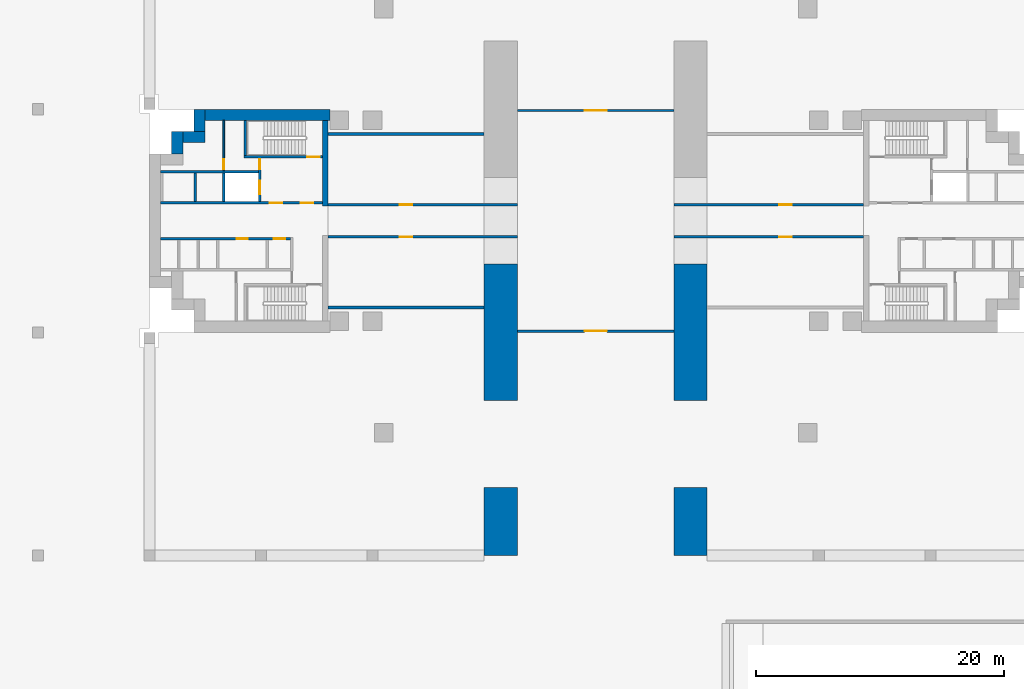
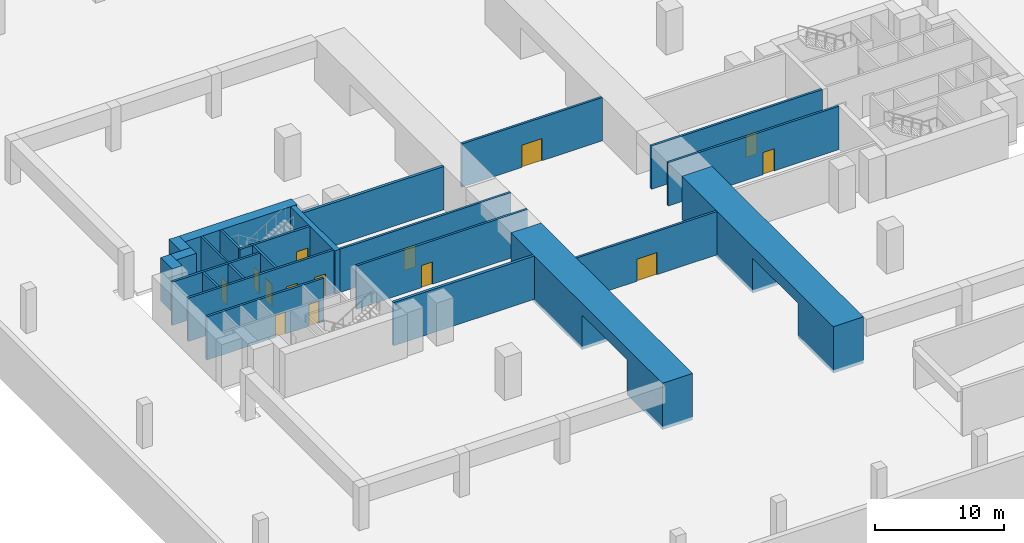
# One storey, part 5 of 9: 24 walls, 14 doors, 14 openings.
"""IFC4 building model written with IfcOpenShell, lengths in metres."""

from ifc_helpers import new_model, si_unit, direction, frame, frame_2d, origin, place, context, subcontext, project, spatial, polyline, rectangle, outline, extrude, material, layer, layer_set, material_profile, profile_set, type_object, element, fill, save


model = new_model("IFC4")

# Units and contexts
model_context = context("Model", 3, precision=1e-05, world=origin(), true_north=direction((0.0, 1.0)))
body_context = subcontext(model_context, "Body", "Model", "MODEL_VIEW")
ifc_project = project(units=[si_unit("LENGTHUNIT", "METRE"), si_unit("AREAUNIT", "SQUARE_METRE"), si_unit("VOLUMEUNIT", "CUBIC_METRE"), si_unit("PLANEANGLEUNIT", "RADIAN"), si_unit("MASSUNIT", "GRAM", prefix="KILO")], contexts=[model_context])

# Site, building, storey
site_placement = place(None, origin())
site = spatial("IfcSite", under=ifc_project, at=site_placement, CompositionType="ELEMENT")
building_placement = place(site_placement, origin())
building = spatial("IfcBuilding", under=site, at=building_placement, Name="Perihelion Cross Residences", CompositionType="ELEMENT")
storey_placement = place(building_placement, frame((0.0, 0.0, -4.5)))
storey = spatial("IfcBuildingStorey", under=building, at=storey_placement, Name="B1", CompositionType="ELEMENT", Elevation=-4.5)

# Walls
ifc_material_1 = material(Name="Concrete C40/50", Category="concrete")
ifc_layer_1 = layer(ifc_material_1, 0.25)
ifc_layer_set_1 = layer_set([ifc_layer_1], Name="Basement enclosure wall 250")
wall_type_1 = type_object("IfcWallType", Name="Basement enclosure wall 250", PredefinedType="SOLIDWALL", material=ifc_layer_set_1)
for number, where, z_axis, x_axis, name in (
    (1, (-9.0, 7.0, 0.0), (0.0, 0.0, 1.0), (-1.0, 0.0, 0.0), "Basement enclosure wall B1 w.encl.n"),
    (2, (-9.0, -7.0, 0.0), (0.0, 0.0, 1.0), (-1.0, 0.0, 0.0), "Basement enclosure wall B1 w.encl.s"),
):
    element("IfcWall", number, at=place(storey_placement, frame(where, z_axis=z_axis, x_axis=x_axis)), inside=storey, type_object=wall_type_1, Name=name, PredefinedType="SOLIDWALL", context=body_context, shape_type="SweptSolid", body=[
        extrude(rectangle(XDim=12.60009765625, YDim=0.25, at=frame_2d((6.300048828125, 0.0))), origin(), (0.0, 0.0, 1.0), 4.10009765625),
    ])
ifc_material_2 = material(Name="Concrete C60/75", Category="concrete")
ifc_layer_2 = layer(ifc_material_2, 0.449951171875)
ifc_layer_set_2 = layer_set([ifc_layer_2], Name="Core wall, inner 450")
wall_type_2 = type_object("IfcWallType", Name="Core wall, inner 450", PredefinedType="SHEAR", material=ifc_layer_set_2)
wall_1_placement = place(storey_placement, frame((-21.824951171875, 1.199951171875, 0.0), z_axis=(0.0, 0.0, 1.0), x_axis=(0.0, 1.0, 0.0)))
element("IfcWall", 3, at=wall_1_placement, inside=storey, type_object=wall_type_2, Name="West core core wall, inner", PredefinedType="SHEAR", context=body_context, shape_type="SweptSolid", body=[
    extrude(rectangle(XDim=6.900146484375, YDim=0.449951171875, at=frame_2d((3.4501953125, 0.0))), origin(), (0.0, 0.0, 1.0), 4.10009765625),
])
ifc_material_3 = material(Name="Concrete C60/75", Category="concrete")
ifc_layer_3 = layer(ifc_material_3, 0.89990234375)
ifc_layer_set_3 = layer_set([ifc_layer_3], Name="Core wall, outer 900")
wall_type_3 = type_object("IfcWallType", Name="Core wall, outer 900", PredefinedType="SHEAR", material=ifc_layer_set_3)
for number, where, z_axis, x_axis, name in (
    (4, (-33.75, 5.39990234375, 0.0), (0.0, 0.0, 1.0), (0.0, 1.0, 0.0), "West core core wall, outer"),
    (5, (-33.300048828125, 6.75, 0.0), (0.0, 0.0, 1.0), (1.0, 0.0, 0.0), "West core core wall, outer"),
    (6, (-31.949951171875, 7.199951171875, 0.0), (0.0, 0.0, 1.0), (0.0, 1.0, 0.0), "West core core wall, outer"),
):
    element("IfcWall", number, at=place(storey_placement, frame(where, z_axis=z_axis, x_axis=x_axis)), inside=storey, type_object=wall_type_3, Name=name, PredefinedType="SHEAR", context=body_context, shape_type="SweptSolid", body=[
        extrude(rectangle(XDim=1.800048828125, YDim=0.89990234375, at=frame_2d((0.89990234375, 0.0))), origin(), (0.0, 0.0, 1.0), 4.10009765625),
    ])
wall_2_placement = place(storey_placement, frame((-31.5, 8.550048828125, 0.0), z_axis=(0.0, 0.0, 1.0), x_axis=(1.0, 0.0, 0.0)))
element("IfcWall", 7, at=wall_2_placement, inside=storey, type_object=wall_type_3, Name="West core core wall, outer", PredefinedType="SHEAR", context=body_context, shape_type="SweptSolid", body=[
    extrude(rectangle(XDim=10.050048828125, YDim=0.89990234375, at=frame_2d((5.02490234375, 0.0))), origin(), (0.0, 0.0, 1.0), 4.10009765625),
])

# Wall, opening, door
ifc_material_4 = material(Name="Concrete block 200", Category="concrete")
ifc_layer_4 = layer(ifc_material_4, 0.199951171875)
ifc_layer_set_4 = layer_set([ifc_layer_4], Name="Parking lobby wall 200")
wall_type_4 = type_object("IfcWallType", Name="Parking lobby wall 200", PredefinedType="PARTITIONING", material=ifc_layer_set_4)
wall_3_placement = place(storey_placement, frame((6.300048828125, 1.300048828125, 0.0), z_axis=(0.0, 0.0, 1.0), x_axis=(1.0, 0.0, 0.0)))
wall_3 = element("IfcWall", 8, at=wall_3_placement, inside=storey, type_object=wall_type_4, Name="Basement partition B1 e.corr.n", PredefinedType="PARTITIONING", context=body_context, shape_type="SweptSolid", body=[
    extrude(rectangle(XDim=15.300048828125, YDim=0.199951171875, at=frame_2d((7.64990234375, 0.0))), origin(), (0.0, 0.0, 1.0), 4.10009765625),
])
opening_1_placement = place(wall_3_placement, frame((8.5, 0.0, 0.0)))
opening_1 = element("IfcOpeningElement", 9, at=opening_1_placement, cuts=wall_3, Name="Opening B1.B01", PredefinedType="OPENING", context=body_context, shape_type="SweptSolid", body=[
    extrude(rectangle(XDim=1.0, YDim=2.10009765625, at=frame_2d((0.5, 1.050048828125))), frame((0.0, 0.10986328125, 0.0), z_axis=(0.0, -1.0, 0.0), x_axis=(1.0, 0.0, 0.0)), (0.0, 0.0, 1.0), 0.219970703125),
])
ifc_material_5 = material(Name="Steel door", Category="steel")
door_type_1 = type_object("IfcDoorType", Name="Basement plant door 1000 x 2100", OperationType="SINGLE_SWING_LEFT", PredefinedType="DOOR", material=ifc_material_5)
door_1_placement = place(opening_1_placement, origin())
door_1 = element("IfcDoor", 10, at=door_1_placement, inside=storey, type_object=door_type_1, Name="Door B1 e.corr.n", OperationType="SINGLE_SWING_LEFT", OverallHeight=2.10009765625, OverallWidth=1.0, PredefinedType="DOOR", context=body_context, shape_type="SweptSolid", body=[
    extrude(rectangle(XDim=1.0, YDim=2.10009765625, at=frame_2d((0.5, 1.050048828125))), frame((0.0, 0.02490234375, 0.0), z_axis=(0.0, -1.0, 0.0), x_axis=(1.0, 0.0, 0.0)), (0.0, 0.0, 1.0), 0.050048828125),
])
fill(opening_1, door_1)

wall_4_placement = place(storey_placement, frame((6.300048828125, -1.300048828125, 0.0), z_axis=(0.0, 0.0, 1.0), x_axis=(1.0, 0.0, 0.0)))
wall_4 = element("IfcWall", 11, at=wall_4_placement, inside=storey, type_object=wall_type_4, Name="Basement partition B1 e.corr.s", PredefinedType="PARTITIONING", context=body_context, shape_type="SweptSolid", body=[
    extrude(rectangle(XDim=15.300048828125, YDim=0.199951171875, at=frame_2d((7.64990234375, 0.0))), origin(), (0.0, 0.0, 1.0), 4.10009765625),
])
opening_2_placement = place(wall_4_placement, frame((8.5, 0.0, 0.0)))
opening_2 = element("IfcOpeningElement", 12, at=opening_2_placement, cuts=wall_4, Name="Opening B1.B02", PredefinedType="OPENING", context=body_context, shape_type="SweptSolid", body=[
    extrude(rectangle(XDim=1.0, YDim=2.10009765625, at=frame_2d((0.5, 1.050048828125))), frame((0.0, 0.10986328125, 0.0), z_axis=(0.0, -1.0, 0.0), x_axis=(1.0, 0.0, 0.0)), (0.0, 0.0, 1.0), 0.219970703125),
])
door_2_placement = place(opening_2_placement, origin())
door_2 = element("IfcDoor", 13, at=door_2_placement, inside=storey, type_object=door_type_1, Name="Door B1 e.corr.s", OperationType="SINGLE_SWING_LEFT", OverallHeight=2.10009765625, OverallWidth=1.0, PredefinedType="DOOR", context=body_context, shape_type="SweptSolid", body=[
    extrude(rectangle(XDim=1.0, YDim=2.10009765625, at=frame_2d((0.5, 1.050048828125))), frame((0.0, 0.02490234375, 0.0), z_axis=(0.0, -1.0, 0.0), x_axis=(1.0, 0.0, 0.0)), (0.0, 0.0, 1.0), 0.050048828125),
])
fill(opening_2, door_2)

wall_5_placement = place(storey_placement, frame((-6.300048828125, 1.300048828125, 0.0), z_axis=(0.0, 0.0, 1.0), x_axis=(-1.0, 0.0, 0.0)))
wall_5 = element("IfcWall", 14, at=wall_5_placement, inside=storey, type_object=wall_type_4, Name="Basement partition B1 w.corr.n", PredefinedType="PARTITIONING", context=body_context, shape_type="SweptSolid", body=[
    extrude(rectangle(XDim=15.300048828125, YDim=0.199951171875, at=frame_2d((7.64990234375, 0.0))), origin(), (0.0, 0.0, 1.0), 4.10009765625),
])
opening_3_placement = place(wall_5_placement, frame((8.5, 0.0, 0.0)))
opening_3 = element("IfcOpeningElement", 15, at=opening_3_placement, cuts=wall_5, Name="Opening B1.B03", PredefinedType="OPENING", context=body_context, shape_type="SweptSolid", body=[
    extrude(rectangle(XDim=1.0, YDim=2.10009765625, at=frame_2d((0.5, 1.050048828125))), frame((0.0, 0.10986328125, 0.0), z_axis=(0.0, -1.0, 0.0), x_axis=(1.0, 0.0, 0.0)), (0.0, 0.0, 1.0), 0.219970703125),
])
door_3_placement = place(opening_3_placement, origin())
door_3 = element("IfcDoor", 16, at=door_3_placement, inside=storey, type_object=door_type_1, Name="Door B1 w.corr.n", OperationType="SINGLE_SWING_LEFT", OverallHeight=2.10009765625, OverallWidth=1.0, PredefinedType="DOOR", context=body_context, shape_type="SweptSolid", body=[
    extrude(rectangle(XDim=1.0, YDim=2.10009765625, at=frame_2d((0.5, 1.050048828125))), frame((0.0, 0.02490234375, 0.0), z_axis=(0.0, -1.0, 0.0), x_axis=(1.0, 0.0, 0.0)), (0.0, 0.0, 1.0), 0.050048828125),
])
fill(opening_3, door_3)

wall_6_placement = place(storey_placement, frame((-6.300048828125, -1.300048828125, 0.0), z_axis=(0.0, 0.0, 1.0), x_axis=(-1.0, 0.0, 0.0)))
wall_6 = element("IfcWall", 17, at=wall_6_placement, inside=storey, type_object=wall_type_4, Name="Basement partition B1 w.corr.s", PredefinedType="PARTITIONING", context=body_context, shape_type="SweptSolid", body=[
    extrude(rectangle(XDim=15.300048828125, YDim=0.199951171875, at=frame_2d((7.64990234375, 0.0))), origin(), (0.0, 0.0, 1.0), 4.10009765625),
])
opening_4_placement = place(wall_6_placement, frame((8.5, 0.0, 0.0)))
opening_4 = element("IfcOpeningElement", 18, at=opening_4_placement, cuts=wall_6, Name="Opening B1.B04", PredefinedType="OPENING", context=body_context, shape_type="SweptSolid", body=[
    extrude(rectangle(XDim=1.0, YDim=2.10009765625, at=frame_2d((0.5, 1.050048828125))), frame((0.0, 0.10986328125, 0.0), z_axis=(0.0, -1.0, 0.0), x_axis=(1.0, 0.0, 0.0)), (0.0, 0.0, 1.0), 0.219970703125),
])
door_4_placement = place(opening_4_placement, origin())
door_4 = element("IfcDoor", 19, at=door_4_placement, inside=storey, type_object=door_type_1, Name="Door B1 w.corr.s", OperationType="SINGLE_SWING_LEFT", OverallHeight=2.10009765625, OverallWidth=1.0, PredefinedType="DOOR", context=body_context, shape_type="SweptSolid", body=[
    extrude(rectangle(XDim=1.0, YDim=2.10009765625, at=frame_2d((0.5, 1.050048828125))), frame((0.0, 0.02490234375, 0.0), z_axis=(0.0, -1.0, 0.0), x_axis=(1.0, 0.0, 0.0)), (0.0, 0.0, 1.0), 0.050048828125),
])
fill(opening_4, door_4)

wall_7_placement = place(storey_placement, frame((-6.300048828125, 8.89990234375, 0.0), z_axis=(0.0, 0.0, 1.0), x_axis=(1.0, 0.0, 0.0)))
wall_7 = element("IfcWall", 20, at=wall_7_placement, inside=storey, type_object=wall_type_4, Name="Basement partition B1 hub.n", PredefinedType="PARTITIONING", context=body_context, shape_type="SweptSolid", body=[
    extrude(rectangle(XDim=12.60009765625, YDim=0.199951171875, at=frame_2d((6.300048828125, 0.0))), origin(), (0.0, 0.0, 1.0), 4.10009765625),
])
opening_5_placement = place(wall_7_placement, frame((5.39990234375, 0.0, 0.0)))
opening_5 = element("IfcOpeningElement", 21, at=opening_5_placement, cuts=wall_7, Name="Opening B1.B05", PredefinedType="OPENING", context=body_context, shape_type="SweptSolid", body=[
    extrude(rectangle(XDim=1.800048828125, YDim=2.10009765625, at=frame_2d((0.89990234375, 1.050048828125))), frame((0.0, 0.10986328125, 0.0), z_axis=(0.0, -1.0, 0.0), x_axis=(1.0, 0.0, 0.0)), (0.0, 0.0, 1.0), 0.219970703125),
])
ifc_material_6 = material(Name="Steel door", Category="steel")
door_type_2 = type_object("IfcDoorType", Name="Lobby door 1800 x 2100", OperationType="DOUBLE_DOOR_SINGLE_SWING", PredefinedType="DOOR", material=ifc_material_6)
door_5_placement = place(opening_5_placement, origin())
door_5 = element("IfcDoor", 22, at=door_5_placement, inside=storey, type_object=door_type_2, Name="Door B1 hub.n", OperationType="SINGLE_SWING_LEFT", OverallHeight=2.10009765625, OverallWidth=1.800048828125, PredefinedType="DOOR", context=body_context, shape_type="SweptSolid", body=[
    extrude(rectangle(XDim=1.800048828125, YDim=2.10009765625, at=frame_2d((0.89990234375, 1.050048828125))), frame((0.0, 0.02490234375, 0.0), z_axis=(0.0, -1.0, 0.0), x_axis=(1.0, 0.0, 0.0)), (0.0, 0.0, 1.0), 0.050048828125),
])
fill(opening_5, door_5)

wall_8_placement = place(storey_placement, frame((-6.300048828125, -8.89990234375, 0.0), z_axis=(0.0, 0.0, 1.0), x_axis=(1.0, 0.0, 0.0)))
wall_8 = element("IfcWall", 23, at=wall_8_placement, inside=storey, type_object=wall_type_4, Name="Basement partition B1 hub.s", PredefinedType="PARTITIONING", context=body_context, shape_type="SweptSolid", body=[
    extrude(rectangle(XDim=12.60009765625, YDim=0.199951171875, at=frame_2d((6.300048828125, 0.0))), origin(), (0.0, 0.0, 1.0), 4.10009765625),
])
opening_6_placement = place(wall_8_placement, frame((5.39990234375, 0.0, 0.0)))
opening_6 = element("IfcOpeningElement", 24, at=opening_6_placement, cuts=wall_8, Name="Opening B1.B06", PredefinedType="OPENING", context=body_context, shape_type="SweptSolid", body=[
    extrude(rectangle(XDim=1.800048828125, YDim=2.10009765625, at=frame_2d((0.89990234375, 1.050048828125))), frame((0.0, 0.10986328125, 0.0), z_axis=(0.0, -1.0, 0.0), x_axis=(1.0, 0.0, 0.0)), (0.0, 0.0, 1.0), 0.219970703125),
])
door_6_placement = place(opening_6_placement, origin())
door_6 = element("IfcDoor", 25, at=door_6_placement, inside=storey, type_object=door_type_2, Name="Door B1 hub.s", OperationType="SINGLE_SWING_LEFT", OverallHeight=2.10009765625, OverallWidth=1.800048828125, PredefinedType="DOOR", context=body_context, shape_type="SweptSolid", body=[
    extrude(rectangle(XDim=1.800048828125, YDim=2.10009765625, at=frame_2d((0.89990234375, 1.050048828125))), frame((0.0, 0.02490234375, 0.0), z_axis=(0.0, -1.0, 0.0), x_axis=(1.0, 0.0, 0.0)), (0.0, 0.0, 1.0), 0.050048828125),
])
fill(opening_6, door_6)

# Walls
ifc_material_7 = material(Name="Concrete C60/75", Category="concrete")
ifc_material_profile_1 = material_profile(ifc_material_7, outline(polyline([(0.0, 0.0), (5.5, 0.0), (5.5, 3.300048828125), (12.5, 3.300048828125), (12.5, 0.0), (23.5, 0.0), (23.5, 4.39990234375), (0.0, 4.39990234375), (0.0, 0.0)])), Name="Pier wall")
ifc_profile_set_1 = profile_set([ifc_material_profile_1], Name="Concrete C60/75")
wall_type_5 = type_object("IfcWallType", Name="Pier wall 2700 with 1 lane openings 23500 long 4400 high concrete C60/75", PredefinedType="SOLIDWALL", material=ifc_profile_set_1)
wall_9_placement = place(storey_placement, frame((6.300048828125, -27.0, -0.300048828125), z_axis=(1.0, 0.0, 0.0), x_axis=(0.0, 1.0, 0.0)))
element("IfcWall", 26, at=wall_9_placement, inside=storey, type_object=wall_type_5, Name="Shear wall SW8 B1 pier east south", PredefinedType="SOLIDWALL", context=body_context, shape_type="SweptSolid", body=[
    extrude(outline(polyline([(0.0, 0.0), (5.5, 0.0), (5.5, 3.300048828125), (12.5, 3.300048828125), (12.5, 0.0), (23.5, 0.0), (23.5, 4.39990234375), (0.0, 4.39990234375), (0.0, 0.0)])), origin(), (0.0, 0.0, 1.0), 2.699951171875),
])
ifc_material_8 = material(Name="Concrete C60/75", Category="concrete")
ifc_material_profile_2 = material_profile(ifc_material_8, outline(polyline([(0.0, 0.0), (5.5, 0.0), (5.5, 3.300048828125), (12.5, 3.300048828125), (12.5, 0.0), (23.5, 0.0), (23.5, 4.39990234375), (0.0, 4.39990234375), (0.0, 0.0)])), Name="Pier wall")
ifc_profile_set_2 = profile_set([ifc_material_profile_2], Name="Concrete C60/75")
wall_type_6 = type_object("IfcWallType", Name="Pier wall 2700 with 1 lane openings 23500 long 4400 high concrete C60/75 hand A", PredefinedType="SOLIDWALL", material=ifc_profile_set_2)
wall_10_placement = place(storey_placement, frame((-9.0, -27.0, -0.300048828125), z_axis=(1.0, 0.0, 0.0), x_axis=(0.0, 1.0, 0.0)))
element("IfcWall", 27, at=wall_10_placement, inside=storey, type_object=wall_type_6, Name="Shear wall SW10 B1 pier west south", PredefinedType="SOLIDWALL", context=body_context, shape_type="SweptSolid", body=[
    extrude(outline(polyline([(0.0, 0.0), (5.5, 0.0), (5.5, 3.300048828125), (12.5, 3.300048828125), (12.5, 0.0), (23.5, 0.0), (23.5, 4.39990234375), (0.0, 4.39990234375), (0.0, 0.0)])), origin(), (0.0, 0.0, 1.0), 2.699951171875),
])

# Wall, opening, door
ifc_material_9 = material(Name="Fire-rated board on steel stud", Category="steel")
ifc_layer_5 = layer(ifc_material_9, 0.14990234375)
ifc_layer_set_5 = layer_set([ifc_layer_5], Name="Riser wall 150")
wall_type_7 = type_object("IfcWallType", Name="Riser wall 150", PredefinedType="PARTITIONING", material=ifc_layer_set_5)
wall_11_placement = place(storey_placement, frame((-30.0, 4.050048828125, 0.0), z_axis=(0.0, 0.0, 1.0), x_axis=(0.0, 1.0, 0.0)))
wall_11 = element("IfcWall", 28, at=wall_11_placement, inside=storey, type_object=wall_type_7, Name="West core riser wall", PredefinedType="PARTITIONING", context=body_context, shape_type="SweptSolid", body=[
    extrude(rectangle(XDim=4.050048828125, YDim=0.14990234375, at=frame_2d((2.02490234375, 0.0))), origin(), (0.0, 0.0, 1.0), 4.10009765625),
])
opening_7_placement = place(wall_11_placement, frame((0.10009765625, 0.0, 0.0)))
opening_7 = element("IfcOpeningElement", 29, at=opening_7_placement, cuts=wall_11, Name="Opening B1.C22", PredefinedType="OPENING", context=body_context, shape_type="SweptSolid", body=[
    extrude(rectangle(XDim=0.800048828125, YDim=2.10009765625, at=frame_2d((0.39990234375, 1.050048828125))), frame((0.0, 0.0849609375, 0.0), z_axis=(0.0, -1.0, 0.0), x_axis=(1.0, 0.0, 0.0)), (0.0, 0.0, 1.0), 0.169921875),
])
ifc_material_10 = material(Name="Steel, powder coated", Category="steel")
door_type_3 = type_object("IfcDoorType", Name="Riser door 800", OperationType="SINGLE_SWING_LEFT", PredefinedType="DOOR", material=ifc_material_10)
door_7_placement = place(opening_7_placement, origin())
door_7 = element("IfcDoor", 30, at=door_7_placement, inside=storey, type_object=door_type_3, Name="West core riser door", OperationType="SINGLE_SWING_LEFT", OverallHeight=2.10009765625, OverallWidth=0.800048828125, PredefinedType="DOOR", context=body_context, shape_type="SweptSolid", body=[
    extrude(rectangle(XDim=0.800048828125, YDim=2.10009765625, at=frame_2d((0.39990234375, 1.050048828125))), frame((0.0, 0.02490234375, 0.0), z_axis=(0.0, -1.0, 0.0), x_axis=(1.0, 0.0, 0.0)), (0.0, 0.0, 1.0), 0.050048828125),
])
fill(opening_7, door_7)

# Wall, openings, doors
ifc_material_11 = material(Name="Concrete C50/60", Category="concrete")
ifc_layer_6 = layer(ifc_material_11, 0.199951171875)
ifc_layer_set_6 = layer_set([ifc_layer_6], Name="Shaft wall 200")
wall_type_8 = type_object("IfcWallType", Name="Shaft wall 200", PredefinedType="SOLIDWALL", material=ifc_layer_set_6)
wall_12_placement = place(storey_placement, frame((-35.10009765625, 1.449951171875, 0.0), z_axis=(0.0, 0.0, 1.0), x_axis=(1.0, 0.0, 0.0)))
wall_12 = element("IfcWall", 31, at=wall_12_placement, inside=storey, type_object=wall_type_8, Name="West core shaft wall", PredefinedType="SOLIDWALL", context=body_context, shape_type="SweptSolid", body=[
    extrude(rectangle(XDim=13.050048828125, YDim=0.199951171875, at=frame_2d((6.52490234375, 0.0))), origin(), (0.0, 0.0, 1.0), 4.10009765625),
])
opening_8_placement = place(wall_12_placement, frame((11.300048828125, 0.0, 0.0)))
opening_8 = element("IfcOpeningElement", 32, at=opening_8_placement, cuts=wall_12, Name="Opening B1.C15", PredefinedType="OPENING", context=body_context, shape_type="SweptSolid", body=[
    extrude(rectangle(XDim=1.0, YDim=2.10009765625, at=frame_2d((0.5, 1.050048828125))), frame((0.0, 0.10986328125, 0.0), z_axis=(0.0, -1.0, 0.0), x_axis=(1.0, 0.0, 0.0)), (0.0, 0.0, 1.0), 0.219970703125),
])
opening_9_placement = place(wall_12_placement, frame((8.800048828125, 0.0, 0.0)))
opening_9 = element("IfcOpeningElement", 33, at=opening_9_placement, cuts=wall_12, Name="Opening B1.C18", PredefinedType="OPENING", context=body_context, shape_type="SweptSolid", body=[
    extrude(rectangle(XDim=1.0, YDim=2.10009765625, at=frame_2d((0.5, 1.050048828125))), frame((0.0, 0.10986328125, 0.0), z_axis=(0.0, -1.0, 0.0), x_axis=(1.0, 0.0, 0.0)), (0.0, 0.0, 1.0), 0.219970703125),
])
ifc_material_12 = material(Name="Steel, powder coated", Category="steel")
door_type_4 = type_object("IfcDoorType", Name="Lobby door 1000", OperationType="SINGLE_SWING_LEFT", PredefinedType="DOOR", material=ifc_material_12)
door_8_placement = place(opening_8_placement, origin())
door_8 = element("IfcDoor", 34, at=door_8_placement, inside=storey, type_object=door_type_4, Name="West core firefighting lobby door", OperationType="SINGLE_SWING_LEFT", OverallHeight=2.10009765625, OverallWidth=1.0, PredefinedType="DOOR", context=body_context, shape_type="SweptSolid", body=[
    extrude(rectangle(XDim=1.0, YDim=2.10009765625, at=frame_2d((0.5, 1.050048828125))), frame((0.0, 0.02490234375, 0.0), z_axis=(0.0, -1.0, 0.0), x_axis=(1.0, 0.0, 0.0)), (0.0, 0.0, 1.0), 0.050048828125),
])
fill(opening_8, door_8)
door_9_placement = place(opening_9_placement, origin())
door_9 = element("IfcDoor", 35, at=door_9_placement, inside=storey, type_object=door_type_4, Name="West core firefighting lobby door", OperationType="SINGLE_SWING_LEFT", OverallHeight=2.10009765625, OverallWidth=1.0, PredefinedType="DOOR", context=body_context, shape_type="SweptSolid", body=[
    extrude(rectangle(XDim=1.0, YDim=2.10009765625, at=frame_2d((0.5, 1.050048828125))), frame((0.0, 0.02490234375, 0.0), z_axis=(0.0, -1.0, 0.0), x_axis=(1.0, 0.0, 0.0)), (0.0, 0.0, 1.0), 0.050048828125),
])
fill(opening_9, door_9)

wall_13_placement = place(storey_placement, frame((-35.10009765625, -1.449951171875, 0.0), z_axis=(0.0, 0.0, 1.0), x_axis=(1.0, 0.0, 0.0)))
wall_13 = element("IfcWall", 36, at=wall_13_placement, inside=storey, type_object=wall_type_8, Name="West core shaft wall", PredefinedType="SOLIDWALL", context=body_context, shape_type="SweptSolid", body=[
    extrude(rectangle(XDim=10.5, YDim=0.199951171875, at=frame_2d((5.25, 0.0))), origin(), (0.0, 0.0, 1.0), 4.10009765625),
])
opening_10_placement = place(wall_13_placement, frame((9.14990234375, 0.0, 0.0)))
opening_10 = element("IfcOpeningElement", 37, at=opening_10_placement, cuts=wall_13, Name="Opening B1.C17", PredefinedType="OPENING", context=body_context, shape_type="SweptSolid", body=[
    extrude(rectangle(XDim=0.89990234375, YDim=2.10009765625, at=frame_2d((0.449951171875, 1.050048828125))), frame((0.0, 0.10986328125, 0.0), z_axis=(0.0, -1.0, 0.0), x_axis=(1.0, 0.0, 0.0)), (0.0, 0.0, 1.0), 0.219970703125),
])
opening_11_placement = place(wall_13_placement, frame((6.14990234375, 0.0, 0.0)))
opening_11 = element("IfcOpeningElement", 38, at=opening_11_placement, cuts=wall_13, Name="Opening B1.C20", PredefinedType="OPENING", context=body_context, shape_type="SweptSolid", body=[
    extrude(rectangle(XDim=0.89990234375, YDim=2.10009765625, at=frame_2d((0.449951171875, 1.050048828125))), frame((0.0, 0.10986328125, 0.0), z_axis=(0.0, -1.0, 0.0), x_axis=(1.0, 0.0, 0.0)), (0.0, 0.0, 1.0), 0.219970703125),
])
ifc_material_13 = material(Name="Steel, powder coated", Category="steel")
door_type_5 = type_object("IfcDoorType", Name="Service room door 900", OperationType="SINGLE_SWING_LEFT", PredefinedType="DOOR", material=ifc_material_13)
door_10_placement = place(opening_10_placement, origin())
door_10 = element("IfcDoor", 39, at=door_10_placement, inside=storey, type_object=door_type_5, Name="West core service room door", OperationType="SINGLE_SWING_LEFT", OverallHeight=2.10009765625, OverallWidth=0.89990234375, PredefinedType="DOOR", context=body_context, shape_type="SweptSolid", body=[
    extrude(rectangle(XDim=0.89990234375, YDim=2.10009765625, at=frame_2d((0.449951171875, 1.050048828125))), frame((0.0, 0.02490234375, 0.0), z_axis=(0.0, -1.0, 0.0), x_axis=(1.0, 0.0, 0.0)), (0.0, 0.0, 1.0), 0.050048828125),
])
fill(opening_10, door_10)
door_11_placement = place(opening_11_placement, origin())
door_11 = element("IfcDoor", 40, at=door_11_placement, inside=storey, type_object=door_type_5, Name="West core service room door", OperationType="SINGLE_SWING_LEFT", OverallHeight=2.10009765625, OverallWidth=0.89990234375, PredefinedType="DOOR", context=body_context, shape_type="SweptSolid", body=[
    extrude(rectangle(XDim=0.89990234375, YDim=2.10009765625, at=frame_2d((0.449951171875, 1.050048828125))), frame((0.0, 0.02490234375, 0.0), z_axis=(0.0, -1.0, 0.0), x_axis=(1.0, 0.0, 0.0)), (0.0, 0.0, 1.0), 0.050048828125),
])
fill(opening_11, door_11)

# Wall
wall_14_placement = place(storey_placement, frame((-35.10009765625, 3.949951171875, 0.0), z_axis=(0.0, 0.0, 1.0), x_axis=(1.0, 0.0, 0.0)))
element("IfcWall", 41, at=wall_14_placement, inside=storey, type_object=wall_type_8, Name="West core shaft wall", PredefinedType="SOLIDWALL", context=body_context, shape_type="SweptSolid", body=[
    extrude(rectangle(XDim=7.900146484375, YDim=0.199951171875, at=frame_2d((3.9501953125, 0.0))), origin(), (0.0, 0.0, 1.0), 4.10009765625),
])

# Wall, openings, doors
wall_15_placement = place(storey_placement, frame((-27.10009765625, 1.550048828125, 0.0), z_axis=(0.0, 0.0, 1.0), x_axis=(0.0, 1.0, 0.0)))
wall_15 = element("IfcWall", 42, at=wall_15_placement, inside=storey, type_object=wall_type_8, Name="West core shaft wall", PredefinedType="SOLIDWALL", context=body_context, shape_type="SweptSolid", body=[
    extrude(rectangle(XDim=3.5, YDim=0.199951171875, at=frame_2d((1.75, 0.0))), origin(), (0.0, 0.0, 1.0), 4.10009765625),
])
opening_12_placement = place(wall_15_placement, frame((0.60009765625, 0.0, 0.0)))
opening_12 = element("IfcOpeningElement", 43, at=opening_12_placement, cuts=wall_15, Name="Opening B1.C12", PredefinedType="OPENING", context=body_context, shape_type="SweptSolid", body=[
    extrude(rectangle(XDim=1.10009765625, YDim=2.10009765625, at=frame_2d((0.550048828125, 1.050048828125))), frame((0.0, 0.10986328125, 0.0), z_axis=(0.0, -1.0, 0.0), x_axis=(1.0, 0.0, 0.0)), (0.0, 0.0, 1.0), 0.219970703125),
])
opening_13_placement = place(wall_15_placement, frame((2.60009765625, 0.0, 0.0)))
opening_13 = element("IfcOpeningElement", 44, at=opening_13_placement, cuts=wall_15, Name="Opening B1.C19", PredefinedType="OPENING", context=body_context, shape_type="SweptSolid", body=[
    extrude(rectangle(XDim=0.800048828125, YDim=2.10009765625, at=frame_2d((0.39990234375, 1.050048828125))), frame((0.0, 0.10986328125, 0.0), z_axis=(0.0, -1.0, 0.0), x_axis=(1.0, 0.0, 0.0)), (0.0, 0.0, 1.0), 0.219970703125),
])
ifc_material_14 = material(Name="Stainless steel", Category="steel")
door_type_6 = type_object("IfcDoorType", Name="Landing door, firefighting lift 1100", OperationType="DOUBLE_DOOR_SLIDING", PredefinedType="DOOR", material=ifc_material_14)
door_12_placement = place(opening_12_placement, origin())
door_12 = element("IfcDoor", 45, at=door_12_placement, inside=storey, type_object=door_type_6, Name="Landing door, West core firefighting and service lift", OperationType="DOUBLE_DOOR_SLIDING", OverallHeight=2.10009765625, OverallWidth=1.10009765625, PredefinedType="DOOR", context=body_context, shape_type="SweptSolid", body=[
    extrude(rectangle(XDim=1.10009765625, YDim=2.10009765625, at=frame_2d((0.550048828125, 1.050048828125))), frame((0.0, 0.02490234375, 0.0), z_axis=(0.0, -1.0, 0.0), x_axis=(1.0, 0.0, 0.0)), (0.0, 0.0, 1.0), 0.050048828125),
])
fill(opening_12, door_12)
door_13_placement = place(opening_13_placement, origin())
door_13 = element("IfcDoor", 46, at=door_13_placement, inside=storey, type_object=door_type_3, Name="West core riser door", OperationType="SINGLE_SWING_LEFT", OverallHeight=2.10009765625, OverallWidth=0.800048828125, PredefinedType="DOOR", context=body_context, shape_type="SweptSolid", body=[
    extrude(rectangle(XDim=0.800048828125, YDim=2.10009765625, at=frame_2d((0.39990234375, 1.050048828125))), frame((0.0, 0.02490234375, 0.0), z_axis=(0.0, -1.0, 0.0), x_axis=(1.0, 0.0, 0.0)), (0.0, 0.0, 1.0), 0.050048828125),
])
fill(opening_13, door_13)

# Walls
for number, where, z_axis, x_axis, name in (
    (47, (-30.0, 1.550048828125, 0.0), (0.0, 0.0, 1.0), (0.0, 1.0, 0.0), "West core shaft wall"),
    (48, (-32.300048828125, 1.550048828125, 0.0), (0.0, 0.0, 1.0), (0.0, 1.0, 0.0), "West core shaft wall"),
):
    element("IfcWall", number, at=place(storey_placement, frame(where, z_axis=z_axis, x_axis=x_axis)), inside=storey, type_object=wall_type_8, Name=name, PredefinedType="SOLIDWALL", context=body_context, shape_type="SweptSolid", body=[
        extrude(rectangle(XDim=2.300048828125, YDim=0.199951171875, at=frame_2d((1.14990234375, 0.0))), origin(), (0.0, 0.0, 1.0), 4.10009765625),
    ])

# Wall, opening, door
ifc_material_15 = material(Name="Concrete C50/60", Category="concrete")
ifc_layer_7 = layer(ifc_material_15, 0.199951171875)
ifc_layer_set_7 = layer_set([ifc_layer_7], Name="Stair wall 200")
wall_type_9 = type_object("IfcWallType", Name="Stair wall 200", PredefinedType="SOLIDWALL", material=ifc_layer_set_7)
wall_16_placement = place(storey_placement, frame((-28.35009765625, 5.14990234375, 0.0), z_axis=(0.0, 0.0, 1.0), x_axis=(1.0, 0.0, 0.0)))
wall_16 = element("IfcWall", 49, at=wall_16_placement, inside=storey, type_object=wall_type_9, Name="West core stair wall", PredefinedType="SOLIDWALL", context=body_context, shape_type="SweptSolid", body=[
    extrude(rectangle(XDim=6.300048828125, YDim=0.199951171875, at=frame_2d((3.14990234375, 0.0))), origin(), (0.0, 0.0, 1.0), 4.10009765625),
])
opening_14_placement = place(wall_16_placement, frame((5.10009765625, 0.0, 0.0)))
opening_14 = element("IfcOpeningElement", 50, at=opening_14_placement, cuts=wall_16, Name="Opening B1.C14", PredefinedType="OPENING", context=body_context, shape_type="SweptSolid", body=[
    extrude(rectangle(XDim=1.0, YDim=2.10009765625, at=frame_2d((0.5, 1.050048828125))), frame((0.0, 0.10986328125, 0.0), z_axis=(0.0, -1.0, 0.0), x_axis=(1.0, 0.0, 0.0)), (0.0, 0.0, 1.0), 0.219970703125),
])
ifc_material_16 = material(Name="Steel, powder coated", Category="steel")
door_type_7 = type_object("IfcDoorType", Name="Stair door 1000", OperationType="SINGLE_SWING_LEFT", PredefinedType="DOOR", material=ifc_material_16)
door_14_placement = place(opening_14_placement, origin())
door_14 = element("IfcDoor", 51, at=door_14_placement, inside=storey, type_object=door_type_7, Name="West core stair door", OperationType="SINGLE_SWING_LEFT", OverallHeight=2.10009765625, OverallWidth=1.0, PredefinedType="DOOR", context=body_context, shape_type="SweptSolid", body=[
    extrude(rectangle(XDim=1.0, YDim=2.10009765625, at=frame_2d((0.5, 1.050048828125))), frame((0.0, 0.02490234375, 0.0), z_axis=(0.0, -1.0, 0.0), x_axis=(1.0, 0.0, 0.0)), (0.0, 0.0, 1.0), 0.050048828125),
])
fill(opening_14, door_14)

# Wall
wall_17_placement = place(storey_placement, frame((-28.25, 5.25, 0.0), z_axis=(0.0, 0.0, 1.0), x_axis=(0.0, 1.0, 0.0)))
element("IfcWall", 52, at=wall_17_placement, inside=storey, type_object=wall_type_9, Name="West core stair wall", PredefinedType="SOLIDWALL", context=body_context, shape_type="SweptSolid", body=[
    extrude(rectangle(XDim=2.85009765625, YDim=0.199951171875, at=frame_2d((1.425048828125, 0.0))), origin(), (0.0, 0.0, 1.0), 4.10009765625),
])

save(model, "model.ifc")
